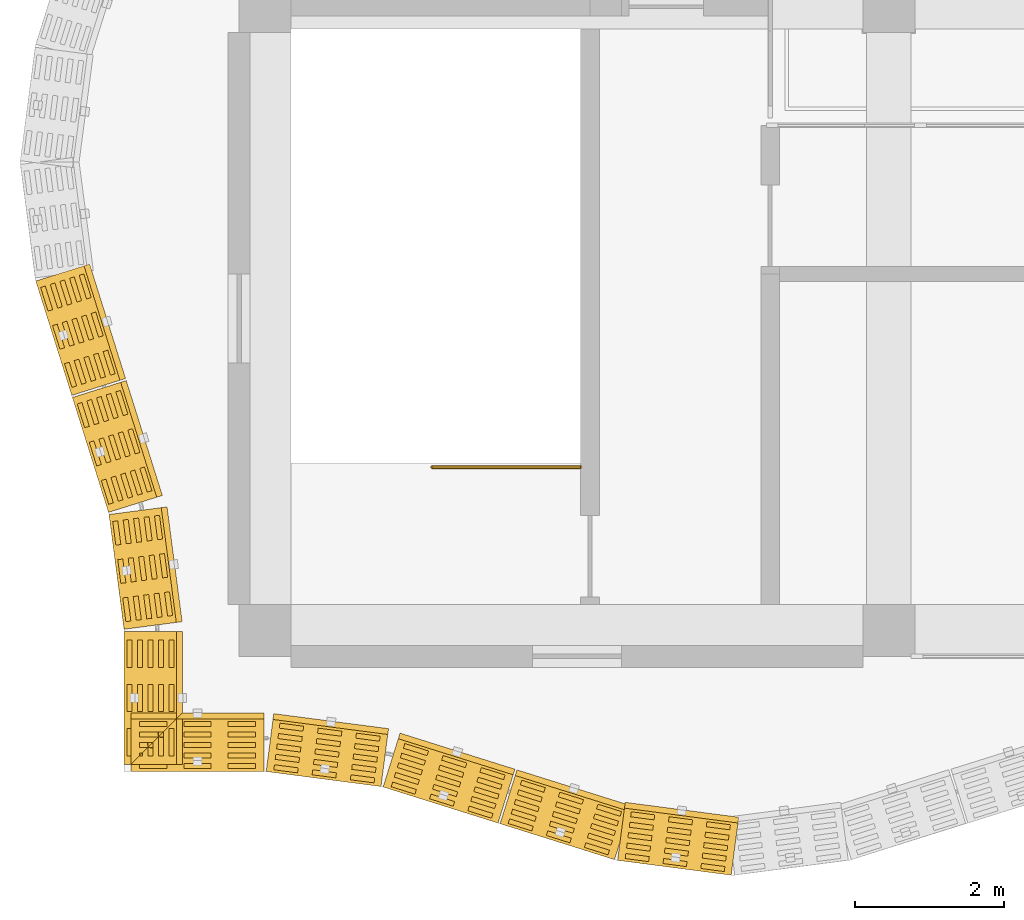
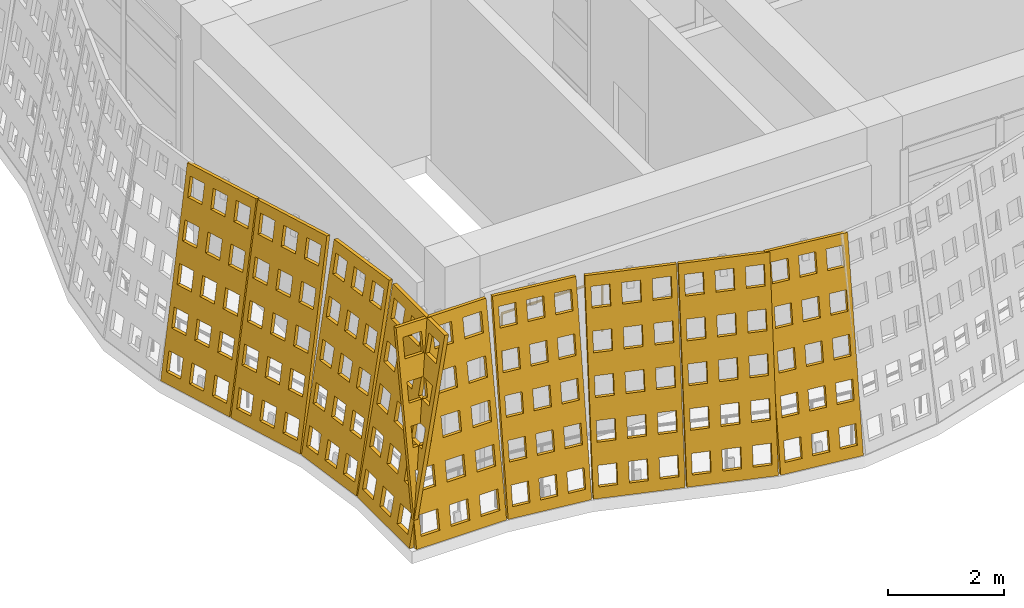
# One storey, part 71 of 85: 9 coverings, 1 railing.
"""IFC4 building model written with IfcOpenShell, lengths in metres."""

from ifc_helpers import new_model, si_unit, direction, frame, origin, origin_2d, place, context, subcontext, project, spatial, polyline, circle, outline, extrude, material, layer, layer_set, type_object, element, save


model = new_model("IFC4")

# Units and contexts
model_context = context("Model", 3, precision=1e-05, world=origin(), true_north=direction((0.0, 1.0)))
body_context = subcontext(model_context, "Body", "Model", "MODEL_VIEW")
ifc_project = project(units=[si_unit("LENGTHUNIT", "METRE"), si_unit("AREAUNIT", "SQUARE_METRE"), si_unit("VOLUMEUNIT", "CUBIC_METRE"), si_unit("PLANEANGLEUNIT", "RADIAN"), si_unit("MASSUNIT", "GRAM", prefix="KILO")], contexts=[model_context])

# Site, building, storey
site_placement = place(None, origin())
site = spatial("IfcSite", under=ifc_project, at=site_placement, CompositionType="ELEMENT")
building_placement = place(site_placement, origin())
building = spatial("IfcBuilding", under=site, at=building_placement, Name="Rain Tree Exposition and Congress Centre", CompositionType="ELEMENT")
storey_placement = place(building_placement, frame((0.0, 0.0, 15.0)))
storey = spatial("IfcBuildingStorey", under=building, at=storey_placement, Name="L03", CompositionType="ELEMENT", Elevation=15.0)

# Coverings
ifc_material_1 = material(Name="Perforated terracotta", Category="masonry")
ifc_layer = layer(ifc_material_1, 0.080078125)
ifc_layer_set = layer_set([ifc_layer], Name="Perforated terracotta")
covering_type = type_object("IfcCoveringType", Name="Terracotta screen 80", PredefinedType="CLADDING", material=ifc_layer_set)
covering_1_placement = place(storey_placement, frame((0.000244140625, -1.898193359375, 0.01318359375), z_axis=(0.127967328105, 0.978036007662, -0.16452942185), x_axis=(-0.991548658387, 0.129735338481, 0.0)))
element("IfcCovering", 1, at=covering_1_placement, inside=storey, type_object=covering_type, Name="wing/screen/L03/001", PredefinedType="CLADDING", context=body_context, shape_type="SweptSolid", body=[
    extrude(outline(polyline([(-1.5732421875, 0.0), (-1.5732421875, 4.295166015625), (-0.014892578125, 4.295166015625), (-0.014892578125, 0.0), (-1.5732421875, 0.0)]), holes=[polyline([(-0.11376953125, 0.2216796875), (-0.11376953125, 0.63720703125), (-0.435791015625, 0.63720703125), (-0.435791015625, 0.2216796875), (-0.11376953125, 0.2216796875)]), polyline([(-0.11376953125, 1.080810546875), (-0.11376953125, 1.496337890625), (-0.435791015625, 1.496337890625), (-0.435791015625, 1.080810546875), (-0.11376953125, 1.080810546875)]), polyline([(-0.11376953125, 1.939697265625), (-0.11376953125, 2.35546875), (-0.435791015625, 2.35546875), (-0.435791015625, 1.939697265625), (-0.11376953125, 1.939697265625)]), polyline([(-0.11376953125, 2.798583984375), (-0.11376953125, 3.21435546875), (-0.435791015625, 3.21435546875), (-0.435791015625, 2.798583984375), (-0.11376953125, 2.798583984375)]), polyline([(-0.11376953125, 3.65771484375), (-0.11376953125, 4.073486328125), (-0.435791015625, 4.073486328125), (-0.435791015625, 3.65771484375), (-0.11376953125, 3.65771484375)]), polyline([(-0.633056640625, 0.2216796875), (-0.633056640625, 0.63720703125), (-0.955078125, 0.63720703125), (-0.955078125, 0.2216796875), (-0.633056640625, 0.2216796875)]), polyline([(-0.633056640625, 1.080810546875), (-0.633056640625, 1.496337890625), (-0.955078125, 1.496337890625), (-0.955078125, 1.080810546875), (-0.633056640625, 1.080810546875)]), polyline([(-0.633056640625, 1.939697265625), (-0.633056640625, 2.35546875), (-0.955078125, 2.35546875), (-0.955078125, 1.939697265625), (-0.633056640625, 1.939697265625)]), polyline([(-0.633056640625, 2.798583984375), (-0.633056640625, 3.21435546875), (-0.955078125, 3.21435546875), (-0.955078125, 2.798583984375), (-0.633056640625, 2.798583984375)]), polyline([(-0.633056640625, 3.65771484375), (-0.633056640625, 4.073486328125), (-0.955078125, 4.073486328125), (-0.955078125, 3.65771484375), (-0.633056640625, 3.65771484375)]), polyline([(-1.152587890625, 0.2216796875), (-1.152587890625, 0.63720703125), (-1.474609375, 0.63720703125), (-1.474609375, 0.2216796875), (-1.152587890625, 0.2216796875)]), polyline([(-1.152587890625, 1.080810546875), (-1.152587890625, 1.496337890625), (-1.474609375, 1.496337890625), (-1.474609375, 1.080810546875), (-1.152587890625, 1.080810546875)]), polyline([(-1.152587890625, 1.939697265625), (-1.152587890625, 2.35546875), (-1.474609375, 2.35546875), (-1.474609375, 1.939697265625), (-1.152587890625, 1.939697265625)]), polyline([(-1.152587890625, 2.798583984375), (-1.152587890625, 3.21435546875), (-1.474609375, 3.21435546875), (-1.474609375, 2.798583984375), (-1.152587890625, 2.798583984375)]), polyline([(-1.152587890625, 3.65771484375), (-1.152587890625, 4.073486328125), (-1.474609375, 4.073486328125), (-1.474609375, 3.65771484375), (-1.152587890625, 3.65771484375)])]), origin(), (0.0, 0.0, 1.0), 0.080078125),
])
covering_2_placement = place(storey_placement, frame((1.57568359375, -2.103515625, 0.0126953125), z_axis=(0.295717964052, 0.942029390639, -0.158529217842), x_axis=(-0.954094597562, 0.29950542383, 0.0)))
element("IfcCovering", 2, at=covering_2_placement, inside=storey, type_object=covering_type, Name="wing/screen/L03/002", PredefinedType="CLADDING", context=body_context, shape_type="SweptSolid", body=[
    extrude(outline(polyline([(-1.635986328125, 0.0), (-1.635986328125, 4.291259765625), (-0.014892578125, 4.291259765625), (-0.014892578125, 0.0), (-1.635986328125, 0.0)]), holes=[polyline([(-0.11767578125, 0.221435546875), (-0.11767578125, 0.63671875), (-0.45263671875, 0.63671875), (-0.45263671875, 0.221435546875), (-0.11767578125, 0.221435546875)]), polyline([(-0.11767578125, 1.07958984375), (-0.11767578125, 1.4951171875), (-0.45263671875, 1.4951171875), (-0.45263671875, 1.07958984375), (-0.11767578125, 1.07958984375)]), polyline([(-0.11767578125, 1.93798828125), (-0.11767578125, 2.353271484375), (-0.45263671875, 2.353271484375), (-0.45263671875, 1.93798828125), (-0.11767578125, 1.93798828125)]), polyline([(-0.11767578125, 2.796142578125), (-0.11767578125, 3.21142578125), (-0.45263671875, 3.21142578125), (-0.45263671875, 2.796142578125), (-0.11767578125, 2.796142578125)]), polyline([(-0.11767578125, 3.654541015625), (-0.11767578125, 4.06982421875), (-0.45263671875, 4.06982421875), (-0.45263671875, 3.654541015625), (-0.11767578125, 3.654541015625)]), polyline([(-0.657958984375, 0.221435546875), (-0.657958984375, 0.63671875), (-0.992919921875, 0.63671875), (-0.992919921875, 0.221435546875), (-0.657958984375, 0.221435546875)]), polyline([(-0.657958984375, 1.07958984375), (-0.657958984375, 1.4951171875), (-0.992919921875, 1.4951171875), (-0.992919921875, 1.07958984375), (-0.657958984375, 1.07958984375)]), polyline([(-0.657958984375, 1.93798828125), (-0.657958984375, 2.353271484375), (-0.992919921875, 2.353271484375), (-0.992919921875, 1.93798828125), (-0.657958984375, 1.93798828125)]), polyline([(-0.657958984375, 2.796142578125), (-0.657958984375, 3.21142578125), (-0.992919921875, 3.21142578125), (-0.992919921875, 2.796142578125), (-0.657958984375, 2.796142578125)]), polyline([(-0.657958984375, 3.654541015625), (-0.657958984375, 4.06982421875), (-0.992919921875, 4.06982421875), (-0.992919921875, 3.654541015625), (-0.657958984375, 3.654541015625)]), polyline([(-1.1982421875, 0.221435546875), (-1.1982421875, 0.63671875), (-1.533203125, 0.63671875), (-1.533203125, 0.221435546875), (-1.1982421875, 0.221435546875)]), polyline([(-1.1982421875, 1.07958984375), (-1.1982421875, 1.4951171875), (-1.533203125, 1.4951171875), (-1.533203125, 1.07958984375), (-1.1982421875, 1.07958984375)]), polyline([(-1.1982421875, 1.93798828125), (-1.1982421875, 2.353271484375), (-1.533203125, 2.353271484375), (-1.533203125, 1.93798828125), (-1.1982421875, 1.93798828125)]), polyline([(-1.1982421875, 2.796142578125), (-1.1982421875, 3.21142578125), (-1.533203125, 3.21142578125), (-1.533203125, 2.796142578125), (-1.1982421875, 2.796142578125)]), polyline([(-1.1982421875, 3.654541015625), (-1.1982421875, 4.06982421875), (-1.533203125, 4.06982421875), (-1.533203125, 3.654541015625), (-1.1982421875, 3.654541015625)])]), origin(), (0.0, 0.0, 1.0), 0.080078125),
])
covering_3_placement = place(storey_placement, frame((3.150634765625, -2.598388671875, 0.0126953125), z_axis=(0.295717964052, 0.942029390639, -0.158529217842), x_axis=(-0.954094597562, 0.29950542383, 0.0)))
element("IfcCovering", 3, at=covering_3_placement, inside=storey, type_object=covering_type, Name="wing/screen/L03/003", PredefinedType="CLADDING", context=body_context, shape_type="SweptSolid", body=[
    extrude(outline(polyline([(-1.62890625, 0.0), (-1.62890625, 4.291259765625), (-0.014892578125, 4.291259765625), (-0.014892578125, 0.0), (-1.62890625, 0.0)]), holes=[polyline([(-0.1171875, 0.221435546875), (-0.1171875, 0.63671875), (-0.45068359375, 0.63671875), (-0.45068359375, 0.221435546875), (-0.1171875, 0.221435546875)]), polyline([(-0.1171875, 1.07958984375), (-0.1171875, 1.4951171875), (-0.45068359375, 1.4951171875), (-0.45068359375, 1.07958984375), (-0.1171875, 1.07958984375)]), polyline([(-0.1171875, 1.93798828125), (-0.1171875, 2.353271484375), (-0.45068359375, 2.353271484375), (-0.45068359375, 1.93798828125), (-0.1171875, 1.93798828125)]), polyline([(-0.1171875, 2.796142578125), (-0.1171875, 3.21142578125), (-0.45068359375, 3.21142578125), (-0.45068359375, 2.796142578125), (-0.1171875, 2.796142578125)]), polyline([(-0.1171875, 3.654541015625), (-0.1171875, 4.06982421875), (-0.45068359375, 4.06982421875), (-0.45068359375, 3.654541015625), (-0.1171875, 3.654541015625)]), polyline([(-0.6552734375, 0.221435546875), (-0.6552734375, 0.63671875), (-0.98876953125, 0.63671875), (-0.98876953125, 0.221435546875), (-0.6552734375, 0.221435546875)]), polyline([(-0.6552734375, 1.07958984375), (-0.6552734375, 1.4951171875), (-0.98876953125, 1.4951171875), (-0.98876953125, 1.07958984375), (-0.6552734375, 1.07958984375)]), polyline([(-0.6552734375, 1.93798828125), (-0.6552734375, 2.353271484375), (-0.98876953125, 2.353271484375), (-0.98876953125, 1.93798828125), (-0.6552734375, 1.93798828125)]), polyline([(-0.6552734375, 2.796142578125), (-0.6552734375, 3.21142578125), (-0.98876953125, 3.21142578125), (-0.98876953125, 2.796142578125), (-0.6552734375, 2.796142578125)]), polyline([(-0.6552734375, 3.654541015625), (-0.6552734375, 4.06982421875), (-0.98876953125, 4.06982421875), (-0.98876953125, 3.654541015625), (-0.6552734375, 3.654541015625)]), polyline([(-1.193115234375, 0.221435546875), (-1.193115234375, 0.63671875), (-1.526611328125, 0.63671875), (-1.526611328125, 0.221435546875), (-1.193115234375, 0.221435546875)]), polyline([(-1.193115234375, 1.07958984375), (-1.193115234375, 1.4951171875), (-1.526611328125, 1.4951171875), (-1.526611328125, 1.07958984375), (-1.193115234375, 1.07958984375)]), polyline([(-1.193115234375, 1.93798828125), (-1.193115234375, 2.353271484375), (-1.526611328125, 2.353271484375), (-1.526611328125, 1.93798828125), (-1.193115234375, 1.93798828125)]), polyline([(-1.193115234375, 2.796142578125), (-1.193115234375, 3.21142578125), (-1.526611328125, 3.21142578125), (-1.526611328125, 2.796142578125), (-1.193115234375, 2.796142578125)]), polyline([(-1.193115234375, 3.654541015625), (-1.193115234375, 4.06982421875), (-1.526611328125, 4.06982421875), (-1.526611328125, 3.654541015625), (-1.193115234375, 3.654541015625)])]), origin(), (0.0, 0.0, 1.0), 0.080078125),
])
covering_4_placement = place(storey_placement, frame((4.725341796875, -3.093017578125, 0.01318359375), z_axis=(0.128349774249, 0.9779030419, -0.165021138321), x_axis=(-0.991496427865, 0.130133906157, 0.0)))
element("IfcCovering", 4, at=covering_4_placement, inside=storey, type_object=covering_type, Name="wing/screen/L03/004", PredefinedType="CLADDING", context=body_context, shape_type="SweptSolid", body=[
    extrude(outline(polyline([(-1.56298828125, 0.0), (-1.56298828125, 4.295166015625), (-0.02197265625, 4.295166015625), (-0.02197265625, 0.0), (-1.56298828125, 0.0)]), holes=[polyline([(-0.11962890625, 0.2216796875), (-0.11962890625, 0.63720703125), (-0.43798828125, 0.63720703125), (-0.43798828125, 0.2216796875), (-0.11962890625, 0.2216796875)]), polyline([(-0.11962890625, 1.080810546875), (-0.11962890625, 1.496337890625), (-0.43798828125, 1.496337890625), (-0.43798828125, 1.080810546875), (-0.11962890625, 1.080810546875)]), polyline([(-0.11962890625, 1.939697265625), (-0.11962890625, 2.35546875), (-0.43798828125, 2.35546875), (-0.43798828125, 1.939697265625), (-0.11962890625, 1.939697265625)]), polyline([(-0.11962890625, 2.798583984375), (-0.11962890625, 3.21435546875), (-0.43798828125, 3.21435546875), (-0.43798828125, 2.798583984375), (-0.11962890625, 2.798583984375)]), polyline([(-0.11962890625, 3.65771484375), (-0.11962890625, 4.073486328125), (-0.43798828125, 4.073486328125), (-0.43798828125, 3.65771484375), (-0.11962890625, 3.65771484375)]), polyline([(-0.63330078125, 0.2216796875), (-0.63330078125, 0.63720703125), (-0.95166015625, 0.63720703125), (-0.95166015625, 0.2216796875), (-0.63330078125, 0.2216796875)]), polyline([(-0.63330078125, 1.080810546875), (-0.63330078125, 1.496337890625), (-0.95166015625, 1.496337890625), (-0.95166015625, 1.080810546875), (-0.63330078125, 1.080810546875)]), polyline([(-0.63330078125, 1.939697265625), (-0.63330078125, 2.35546875), (-0.95166015625, 2.35546875), (-0.95166015625, 1.939697265625), (-0.63330078125, 1.939697265625)]), polyline([(-0.63330078125, 2.798583984375), (-0.63330078125, 3.21435546875), (-0.95166015625, 3.21435546875), (-0.95166015625, 2.798583984375), (-0.63330078125, 2.798583984375)]), polyline([(-0.63330078125, 3.65771484375), (-0.63330078125, 4.073486328125), (-0.95166015625, 4.073486328125), (-0.95166015625, 3.65771484375), (-0.63330078125, 3.65771484375)]), polyline([(-1.146728515625, 0.2216796875), (-1.146728515625, 0.63720703125), (-1.46533203125, 0.63720703125), (-1.46533203125, 0.2216796875), (-1.146728515625, 0.2216796875)]), polyline([(-1.146728515625, 1.080810546875), (-1.146728515625, 1.496337890625), (-1.46533203125, 1.496337890625), (-1.46533203125, 1.080810546875), (-1.146728515625, 1.080810546875)]), polyline([(-1.146728515625, 1.939697265625), (-1.146728515625, 2.35546875), (-1.46533203125, 2.35546875), (-1.46533203125, 1.939697265625), (-1.146728515625, 1.939697265625)]), polyline([(-1.146728515625, 2.798583984375), (-1.146728515625, 3.21435546875), (-1.46533203125, 3.21435546875), (-1.46533203125, 2.798583984375), (-1.146728515625, 2.798583984375)]), polyline([(-1.146728515625, 3.65771484375), (-1.146728515625, 4.073486328125), (-1.46533203125, 4.073486328125), (-1.46533203125, 3.65771484375), (-1.146728515625, 3.65771484375)])]), origin(), (0.0, 0.0, 1.0), 0.079833984375),
])
covering_5_placement = place(storey_placement, frame((-3.093505859375, 4.7255859375, 0.0126953125), z_axis=(0.942029390639, 0.295717964052, -0.158529217842), x_axis=(-0.29950542383, 0.954094597562, 0.0)))
element("IfcCovering", 5, at=covering_5_placement, inside=storey, type_object=covering_type, Name="wing/screen/L03/132", PredefinedType="CLADDING", context=body_context, shape_type="SweptSolid", body=[
    extrude(outline(polyline([(-1.635986328125, 0.0), (-1.635986328125, 4.291259765625), (-0.02197265625, 4.291259765625), (-0.02197265625, 0.0), (-1.635986328125, 0.0)]), holes=[polyline([(-0.124267578125, 0.221435546875), (-0.124267578125, 0.63671875), (-0.457763671875, 0.63671875), (-0.457763671875, 0.221435546875), (-0.124267578125, 0.221435546875)]), polyline([(-0.124267578125, 1.07958984375), (-0.124267578125, 1.4951171875), (-0.457763671875, 1.4951171875), (-0.457763671875, 1.07958984375), (-0.124267578125, 1.07958984375)]), polyline([(-0.124267578125, 1.93798828125), (-0.124267578125, 2.353271484375), (-0.457763671875, 2.353271484375), (-0.457763671875, 1.93798828125), (-0.124267578125, 1.93798828125)]), polyline([(-0.124267578125, 2.796142578125), (-0.124267578125, 3.21142578125), (-0.457763671875, 3.21142578125), (-0.457763671875, 2.796142578125), (-0.124267578125, 2.796142578125)]), polyline([(-0.124267578125, 3.654541015625), (-0.124267578125, 4.06982421875), (-0.457763671875, 4.06982421875), (-0.457763671875, 3.654541015625), (-0.124267578125, 3.654541015625)]), polyline([(-0.662109375, 0.221435546875), (-0.662109375, 0.63671875), (-0.995849609375, 0.63671875), (-0.995849609375, 0.221435546875), (-0.662109375, 0.221435546875)]), polyline([(-0.662109375, 1.07958984375), (-0.662109375, 1.4951171875), (-0.995849609375, 1.4951171875), (-0.995849609375, 1.07958984375), (-0.662109375, 1.07958984375)]), polyline([(-0.662109375, 1.93798828125), (-0.662109375, 2.353271484375), (-0.995849609375, 2.353271484375), (-0.995849609375, 1.93798828125), (-0.662109375, 1.93798828125)]), polyline([(-0.662109375, 2.796142578125), (-0.662109375, 3.21142578125), (-0.995849609375, 3.21142578125), (-0.995849609375, 2.796142578125), (-0.662109375, 2.796142578125)]), polyline([(-0.662109375, 3.654541015625), (-0.662109375, 4.06982421875), (-0.995849609375, 4.06982421875), (-0.995849609375, 3.654541015625), (-0.662109375, 3.654541015625)]), polyline([(-1.2001953125, 0.221435546875), (-1.2001953125, 0.63671875), (-1.53369140625, 0.63671875), (-1.53369140625, 0.221435546875), (-1.2001953125, 0.221435546875)]), polyline([(-1.2001953125, 1.07958984375), (-1.2001953125, 1.4951171875), (-1.53369140625, 1.4951171875), (-1.53369140625, 1.07958984375), (-1.2001953125, 1.07958984375)]), polyline([(-1.2001953125, 1.93798828125), (-1.2001953125, 2.353271484375), (-1.53369140625, 2.353271484375), (-1.53369140625, 1.93798828125), (-1.2001953125, 1.93798828125)]), polyline([(-1.2001953125, 2.796142578125), (-1.2001953125, 3.21142578125), (-1.53369140625, 3.21142578125), (-1.53369140625, 2.796142578125), (-1.2001953125, 2.796142578125)]), polyline([(-1.2001953125, 3.654541015625), (-1.2001953125, 4.06982421875), (-1.53369140625, 4.06982421875), (-1.53369140625, 3.654541015625), (-1.2001953125, 3.654541015625)])]), origin(), (0.0, 0.0, 1.0), 0.080078125),
])
covering_6_placement = place(storey_placement, frame((-2.598388671875, 3.150634765625, 0.0126953125), z_axis=(0.942029390639, 0.295717964052, -0.158529217842), x_axis=(-0.29950542383, 0.954094597562, 0.0)))
element("IfcCovering", 6, at=covering_6_placement, inside=storey, type_object=covering_type, Name="wing/screen/L03/133", PredefinedType="CLADDING", context=body_context, shape_type="SweptSolid", body=[
    extrude(outline(polyline([(-1.635986328125, 0.0), (-1.635986328125, 4.291259765625), (-0.014892578125, 4.291259765625), (-0.014892578125, 0.0), (-1.635986328125, 0.0)]), holes=[polyline([(-0.11767578125, 0.221435546875), (-0.11767578125, 0.63671875), (-0.45263671875, 0.63671875), (-0.45263671875, 0.221435546875), (-0.11767578125, 0.221435546875)]), polyline([(-0.11767578125, 1.07958984375), (-0.11767578125, 1.4951171875), (-0.45263671875, 1.4951171875), (-0.45263671875, 1.07958984375), (-0.11767578125, 1.07958984375)]), polyline([(-0.11767578125, 1.93798828125), (-0.11767578125, 2.353271484375), (-0.45263671875, 2.353271484375), (-0.45263671875, 1.93798828125), (-0.11767578125, 1.93798828125)]), polyline([(-0.11767578125, 2.796142578125), (-0.11767578125, 3.21142578125), (-0.45263671875, 3.21142578125), (-0.45263671875, 2.796142578125), (-0.11767578125, 2.796142578125)]), polyline([(-0.11767578125, 3.654541015625), (-0.11767578125, 4.06982421875), (-0.45263671875, 4.06982421875), (-0.45263671875, 3.654541015625), (-0.11767578125, 3.654541015625)]), polyline([(-0.657958984375, 0.221435546875), (-0.657958984375, 0.63671875), (-0.992919921875, 0.63671875), (-0.992919921875, 0.221435546875), (-0.657958984375, 0.221435546875)]), polyline([(-0.657958984375, 1.07958984375), (-0.657958984375, 1.4951171875), (-0.992919921875, 1.4951171875), (-0.992919921875, 1.07958984375), (-0.657958984375, 1.07958984375)]), polyline([(-0.657958984375, 1.93798828125), (-0.657958984375, 2.353271484375), (-0.992919921875, 2.353271484375), (-0.992919921875, 1.93798828125), (-0.657958984375, 1.93798828125)]), polyline([(-0.657958984375, 2.796142578125), (-0.657958984375, 3.21142578125), (-0.992919921875, 3.21142578125), (-0.992919921875, 2.796142578125), (-0.657958984375, 2.796142578125)]), polyline([(-0.657958984375, 3.654541015625), (-0.657958984375, 4.06982421875), (-0.992919921875, 4.06982421875), (-0.992919921875, 3.654541015625), (-0.657958984375, 3.654541015625)]), polyline([(-1.1982421875, 0.221435546875), (-1.1982421875, 0.63671875), (-1.533203125, 0.63671875), (-1.533203125, 0.221435546875), (-1.1982421875, 0.221435546875)]), polyline([(-1.1982421875, 1.07958984375), (-1.1982421875, 1.4951171875), (-1.533203125, 1.4951171875), (-1.533203125, 1.07958984375), (-1.1982421875, 1.07958984375)]), polyline([(-1.1982421875, 1.93798828125), (-1.1982421875, 2.353271484375), (-1.533203125, 2.353271484375), (-1.533203125, 1.93798828125), (-1.1982421875, 1.93798828125)]), polyline([(-1.1982421875, 2.796142578125), (-1.1982421875, 3.21142578125), (-1.533203125, 3.21142578125), (-1.533203125, 2.796142578125), (-1.1982421875, 2.796142578125)]), polyline([(-1.1982421875, 3.654541015625), (-1.1982421875, 4.06982421875), (-1.533203125, 4.06982421875), (-1.533203125, 3.654541015625), (-1.1982421875, 3.654541015625)])]), origin(), (0.0, 0.0, 1.0), 0.080078125),
])
covering_7_placement = place(storey_placement, frame((-2.10302734375, 1.5751953125, 0.01318359375), z_axis=(0.9779030419, 0.128349774249, -0.165021138321), x_axis=(-0.130133906157, 0.991496427865, 0.0)))
element("IfcCovering", 7, at=covering_7_placement, inside=storey, type_object=covering_type, Name="wing/screen/L03/134", PredefinedType="CLADDING", context=body_context, shape_type="SweptSolid", body=[
    extrude(outline(polyline([(-1.5732421875, 0.0), (-1.5732421875, 4.295166015625), (-0.014892578125, 4.295166015625), (-0.014892578125, 0.0), (-1.5732421875, 0.0)]), holes=[polyline([(-0.11376953125, 0.2216796875), (-0.11376953125, 0.63720703125), (-0.435791015625, 0.63720703125), (-0.435791015625, 0.2216796875), (-0.11376953125, 0.2216796875)]), polyline([(-0.11376953125, 1.080810546875), (-0.11376953125, 1.496337890625), (-0.435791015625, 1.496337890625), (-0.435791015625, 1.080810546875), (-0.11376953125, 1.080810546875)]), polyline([(-0.11376953125, 1.939697265625), (-0.11376953125, 2.35546875), (-0.435791015625, 2.35546875), (-0.435791015625, 1.939697265625), (-0.11376953125, 1.939697265625)]), polyline([(-0.11376953125, 2.798583984375), (-0.11376953125, 3.21435546875), (-0.435791015625, 3.21435546875), (-0.435791015625, 2.798583984375), (-0.11376953125, 2.798583984375)]), polyline([(-0.11376953125, 3.65771484375), (-0.11376953125, 4.073486328125), (-0.435791015625, 4.073486328125), (-0.435791015625, 3.65771484375), (-0.11376953125, 3.65771484375)]), polyline([(-0.633056640625, 0.2216796875), (-0.633056640625, 0.63720703125), (-0.955078125, 0.63720703125), (-0.955078125, 0.2216796875), (-0.633056640625, 0.2216796875)]), polyline([(-0.633056640625, 1.080810546875), (-0.633056640625, 1.496337890625), (-0.955078125, 1.496337890625), (-0.955078125, 1.080810546875), (-0.633056640625, 1.080810546875)]), polyline([(-0.633056640625, 1.939697265625), (-0.633056640625, 2.35546875), (-0.955078125, 2.35546875), (-0.955078125, 1.939697265625), (-0.633056640625, 1.939697265625)]), polyline([(-0.633056640625, 2.798583984375), (-0.633056640625, 3.21435546875), (-0.955078125, 3.21435546875), (-0.955078125, 2.798583984375), (-0.633056640625, 2.798583984375)]), polyline([(-0.633056640625, 3.65771484375), (-0.633056640625, 4.073486328125), (-0.955078125, 4.073486328125), (-0.955078125, 3.65771484375), (-0.633056640625, 3.65771484375)]), polyline([(-1.152587890625, 0.2216796875), (-1.152587890625, 0.63720703125), (-1.474609375, 0.63720703125), (-1.474609375, 0.2216796875), (-1.152587890625, 0.2216796875)]), polyline([(-1.152587890625, 1.080810546875), (-1.152587890625, 1.496337890625), (-1.474609375, 1.496337890625), (-1.474609375, 1.080810546875), (-1.152587890625, 1.080810546875)]), polyline([(-1.152587890625, 1.939697265625), (-1.152587890625, 2.35546875), (-1.474609375, 2.35546875), (-1.474609375, 1.939697265625), (-1.152587890625, 1.939697265625)]), polyline([(-1.152587890625, 2.798583984375), (-1.152587890625, 3.21435546875), (-1.474609375, 3.21435546875), (-1.474609375, 2.798583984375), (-1.152587890625, 2.798583984375)]), polyline([(-1.152587890625, 3.65771484375), (-1.152587890625, 4.073486328125), (-1.474609375, 4.073486328125), (-1.474609375, 3.65771484375), (-1.152587890625, 3.65771484375)])]), origin(), (0.0, 0.0, 1.0), 0.079833984375),
])
covering_8_placement = place(storey_placement, frame((-1.898193359375, 0.0, 0.01318359375), z_axis=(0.986393923832, 0.0, -0.164398987305), x_axis=(0.0, 1.0, 0.0)))
element("IfcCovering", 8, at=covering_8_placement, inside=storey, type_object=covering_type, Name="wing/screen/L03/135", PredefinedType="CLADDING", context=body_context, shape_type="SweptSolid", body=[
    extrude(outline(polyline([(-1.805419921875, 0.0), (-1.805419921875, 4.2958984375), (-0.014892578125, 4.2958984375), (-0.014892578125, 0.0), (-1.805419921875, 0.0)]), holes=[polyline([(-0.12841796875, 0.2216796875), (-0.12841796875, 0.637451171875), (-0.498291015625, 0.637451171875), (-0.498291015625, 0.2216796875), (-0.12841796875, 0.2216796875)]), polyline([(-0.12841796875, 1.080810546875), (-0.12841796875, 1.49658203125), (-0.498291015625, 1.49658203125), (-0.498291015625, 1.080810546875), (-0.12841796875, 1.080810546875)]), polyline([(-0.12841796875, 1.940185546875), (-0.12841796875, 2.355712890625), (-0.498291015625, 2.355712890625), (-0.498291015625, 1.940185546875), (-0.12841796875, 1.940185546875)]), polyline([(-0.12841796875, 2.79931640625), (-0.12841796875, 3.215087890625), (-0.498291015625, 3.215087890625), (-0.498291015625, 2.79931640625), (-0.12841796875, 2.79931640625)]), polyline([(-0.12841796875, 3.658447265625), (-0.12841796875, 4.07421875), (-0.498291015625, 4.07421875), (-0.498291015625, 3.658447265625), (-0.12841796875, 3.658447265625)]), polyline([(-0.72509765625, 0.2216796875), (-0.72509765625, 0.637451171875), (-1.09521484375, 0.637451171875), (-1.09521484375, 0.2216796875), (-0.72509765625, 0.2216796875)]), polyline([(-0.72509765625, 1.080810546875), (-0.72509765625, 1.49658203125), (-1.09521484375, 1.49658203125), (-1.09521484375, 1.080810546875), (-0.72509765625, 1.080810546875)]), polyline([(-0.72509765625, 1.940185546875), (-0.72509765625, 2.355712890625), (-1.09521484375, 2.355712890625), (-1.09521484375, 1.940185546875), (-0.72509765625, 1.940185546875)]), polyline([(-0.72509765625, 2.79931640625), (-0.72509765625, 3.215087890625), (-1.09521484375, 3.215087890625), (-1.09521484375, 2.79931640625), (-0.72509765625, 2.79931640625)]), polyline([(-0.72509765625, 3.658447265625), (-0.72509765625, 4.07421875), (-1.09521484375, 4.07421875), (-1.09521484375, 3.658447265625), (-0.72509765625, 3.658447265625)]), polyline([(-1.322021484375, 0.2216796875), (-1.322021484375, 0.637451171875), (-1.69189453125, 0.637451171875), (-1.69189453125, 0.2216796875), (-1.322021484375, 0.2216796875)]), polyline([(-1.322021484375, 1.080810546875), (-1.322021484375, 1.49658203125), (-1.69189453125, 1.49658203125), (-1.69189453125, 1.080810546875), (-1.322021484375, 1.080810546875)]), polyline([(-1.322021484375, 1.940185546875), (-1.322021484375, 2.355712890625), (-1.69189453125, 2.355712890625), (-1.69189453125, 1.940185546875), (-1.322021484375, 1.940185546875)]), polyline([(-1.322021484375, 2.79931640625), (-1.322021484375, 3.215087890625), (-1.69189453125, 3.215087890625), (-1.69189453125, 2.79931640625), (-1.322021484375, 2.79931640625)]), polyline([(-1.322021484375, 3.658447265625), (-1.322021484375, 4.07421875), (-1.69189453125, 4.07421875), (-1.69189453125, 3.658447265625), (-1.322021484375, 3.658447265625)])]), origin(), (0.0, 0.0, 1.0), 0.080078125),
])
covering_9_placement = place(storey_placement, frame((-1.900390625, -1.898193359375, 0.01318359375), z_axis=(0.0, 0.986393923832, -0.164398987305), x_axis=(-1.0, 0.0, 0.0)))
element("IfcCovering", 9, at=covering_9_placement, inside=storey, type_object=covering_type, Name="wing/screen/L03/136", PredefinedType="CLADDING", context=body_context, shape_type="SweptSolid", body=[
    extrude(outline(polyline([(-1.88525390625, 0.0), (-1.88525390625, 4.2958984375), (-0.094970703125, 4.2958984375), (-0.094970703125, 0.0), (-1.88525390625, 0.0)]), holes=[polyline([(-0.20849609375, 0.2216796875), (-0.20849609375, 0.637451171875), (-0.578369140625, 0.637451171875), (-0.578369140625, 0.2216796875), (-0.20849609375, 0.2216796875)]), polyline([(-0.20849609375, 1.080810546875), (-0.20849609375, 1.49658203125), (-0.578369140625, 1.49658203125), (-0.578369140625, 1.080810546875), (-0.20849609375, 1.080810546875)]), polyline([(-0.20849609375, 1.940185546875), (-0.20849609375, 2.355712890625), (-0.578369140625, 2.355712890625), (-0.578369140625, 1.940185546875), (-0.20849609375, 1.940185546875)]), polyline([(-0.20849609375, 2.79931640625), (-0.20849609375, 3.215087890625), (-0.578369140625, 3.215087890625), (-0.578369140625, 2.79931640625), (-0.20849609375, 2.79931640625)]), polyline([(-0.20849609375, 3.658447265625), (-0.20849609375, 4.07421875), (-0.578369140625, 4.07421875), (-0.578369140625, 3.658447265625), (-0.20849609375, 3.658447265625)]), polyline([(-0.80517578125, 0.2216796875), (-0.80517578125, 0.637451171875), (-1.175048828125, 0.637451171875), (-1.175048828125, 0.2216796875), (-0.80517578125, 0.2216796875)]), polyline([(-0.80517578125, 1.080810546875), (-0.80517578125, 1.49658203125), (-1.175048828125, 1.49658203125), (-1.175048828125, 1.080810546875), (-0.80517578125, 1.080810546875)]), polyline([(-0.80517578125, 1.940185546875), (-0.80517578125, 2.355712890625), (-1.175048828125, 2.355712890625), (-1.175048828125, 1.940185546875), (-0.80517578125, 1.940185546875)]), polyline([(-0.80517578125, 2.79931640625), (-0.80517578125, 3.215087890625), (-1.175048828125, 3.215087890625), (-1.175048828125, 2.79931640625), (-0.80517578125, 2.79931640625)]), polyline([(-0.80517578125, 3.658447265625), (-0.80517578125, 4.07421875), (-1.175048828125, 4.07421875), (-1.175048828125, 3.658447265625), (-0.80517578125, 3.658447265625)]), polyline([(-1.40185546875, 0.2216796875), (-1.40185546875, 0.637451171875), (-1.77197265625, 0.637451171875), (-1.77197265625, 0.2216796875), (-1.40185546875, 0.2216796875)]), polyline([(-1.40185546875, 1.080810546875), (-1.40185546875, 1.49658203125), (-1.77197265625, 1.49658203125), (-1.77197265625, 1.080810546875), (-1.40185546875, 1.080810546875)]), polyline([(-1.40185546875, 1.940185546875), (-1.40185546875, 2.355712890625), (-1.77197265625, 2.355712890625), (-1.77197265625, 1.940185546875), (-1.40185546875, 1.940185546875)]), polyline([(-1.40185546875, 2.79931640625), (-1.40185546875, 3.215087890625), (-1.77197265625, 3.215087890625), (-1.77197265625, 2.79931640625), (-1.40185546875, 2.79931640625)]), polyline([(-1.40185546875, 3.658447265625), (-1.40185546875, 4.07421875), (-1.77197265625, 4.07421875), (-1.77197265625, 3.658447265625), (-1.40185546875, 3.658447265625)])]), origin(), (0.0, 0.0, 1.0), 0.080078125),
])

# Railing
ifc_material_2 = material(Name="Steel S355J2H", Category="steel")
railing_type = type_object("IfcRailingType", Name="Wing stair guard 1100", PredefinedType="GUARDRAIL", material=ifc_material_2)
railing_placement = place(storey_placement, frame((4.25, 2.199951171875, 0.0)))
element("IfcRailing", 10, at=railing_placement, inside=storey, type_object=railing_type, Name="L03 ST-W1 top well guard 1", PredefinedType="GUARDRAIL", context=body_context, shape_type="SweptSolid", body=[
    extrude(circle(Radius=0.02392578125, at=origin_2d()), frame((0.0, 0.0, 1.076171875), z_axis=(-1.0, 0.0, 0.0), x_axis=(0.0, -1.0, 0.0)), (0.0, 0.0, 1.0), 2.0),
    extrude(circle(Radius=0.02099609375, at=origin_2d()), origin(), (0.0, 0.0, 1.0), 1.052001953125),
    extrude(circle(Radius=0.02099609375, at=origin_2d()), frame((-1.0, 0.0, 0.0)), (0.0, 0.0, 1.0), 1.052001953125),
    extrude(circle(Radius=0.02099609375, at=origin_2d()), frame((-2.0, 0.0, 0.0)), (0.0, 0.0, 1.0), 1.052001953125),
])

save(model, "model.ifc")
